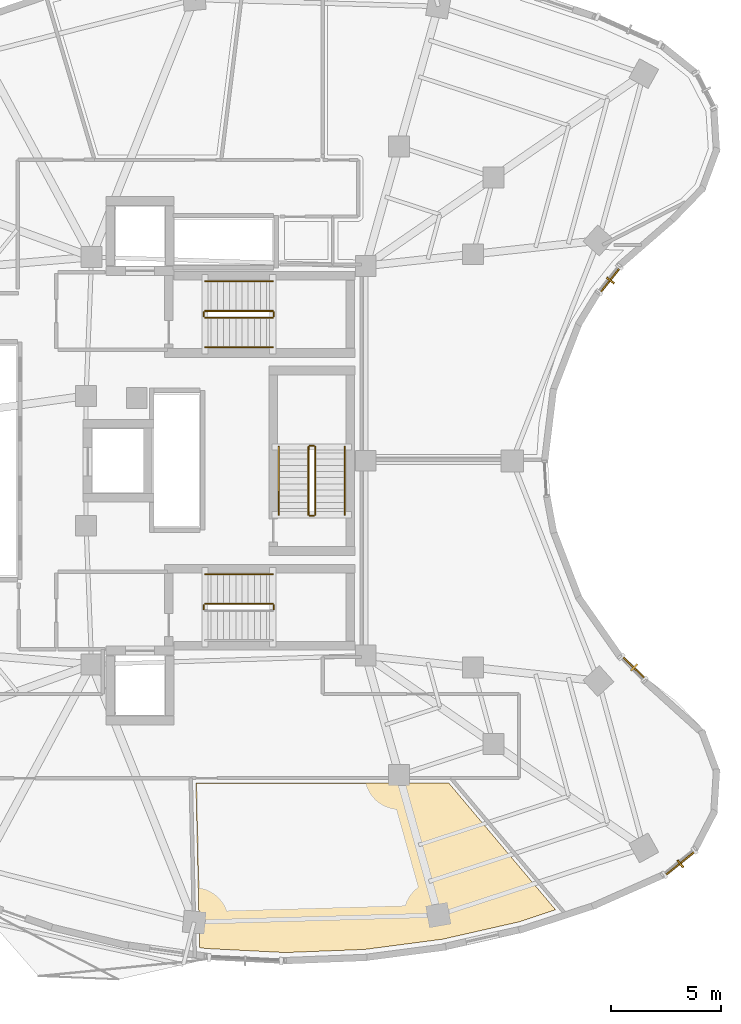
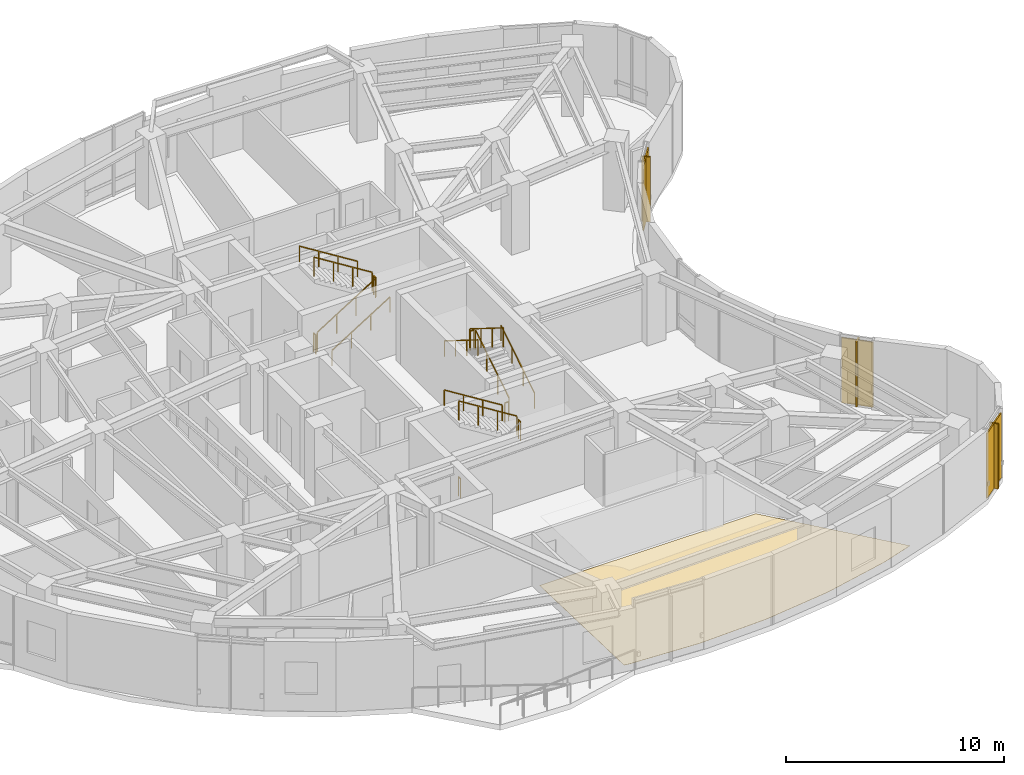
# One storey, part 14 of 15: 16 railings, 6 shading devices, 1 covering.
"""IFC4 building model written with IfcOpenShell, lengths in metres."""

import ifcopenshell
import ifcopenshell.guid

model = None  # the IFC model being written
_history = None  # IfcOwnerHistory: only IFC2X3 demands one
_inside = {}  # id of a spatial element -> (the spatial element, [elements in it])
_under = {}  # id of a project, library or spatial element -> (it, [spatial elements below it])
_declared = {}  # id of a project -> (the project, [libraries it declares])
_typed = {}  # id of a type object -> (the type object, [elements of that type])
_made_of = {}  # id of a material, layer set ... -> (it, [elements and type objects made of it])


def new_model(schema):
    """Start an empty IFC model of exactly this schema.

    Asked for "IFC4X3", IfcOpenShell would pick the latest addendum, in which some entities
    have other attributes; the version numbers below select the first issue.
    IFC2X3 requires an IfcOwnerHistory on every rooted entity: one is made here for all.
    """
    global model, _history
    if schema == "IFC4X3":
        model = ifcopenshell.file(schema_version=(4, 3, 0, 0))
    else:
        model = ifcopenshell.file(schema=schema)
    _inside.clear()
    _under.clear()
    _declared.clear()
    _typed.clear()
    _made_of.clear()
    _history = None
    if model.schema == "IFC2X3":
        org = make("IfcOrganization", Name="unknown")
        user = make(
            "IfcPersonAndOrganization",
            ThePerson=make("IfcPerson", FamilyName="unknown"),
            TheOrganization=org,
        )
        app = make(
            "IfcApplication",
            ApplicationDeveloper=org,
            Version="unknown",
            ApplicationFullName="unknown",
            ApplicationIdentifier="unknown",
        )
        _history = make(
            "IfcOwnerHistory",
            OwningUser=user,
            OwningApplication=app,
            ChangeAction="ADDED",
            CreationDate=0,
        )
    return model


def make(cls, **values):
    """One entity of the class cls with the attributes given. An attribute that is None is left unset."""
    return model.create_entity(
        cls, **{name: value for name, value in values.items() if value is not None}
    )


def rooted(cls, **values):
    """An entity with a GlobalId (a new one), such as an element, a storey or a relation."""
    return make(cls, GlobalId=ifcopenshell.guid.new(), OwnerHistory=_history, **values)


def si_unit(unit_type, name, prefix=None):
    """IfcSIUnit, for example si_unit("LENGTHUNIT", "METRE", prefix="MILLI")."""
    return make("IfcSIUnit", UnitType=unit_type, Prefix=prefix, Name=name)


def assignment(units):
    """IfcUnitAssignment: the units of a project."""
    return None if units is None else make("IfcUnitAssignment", Units=units)


def point(xyz):
    """IfcCartesianPoint."""
    return None if xyz is None else make("IfcCartesianPoint", Coordinates=xyz)


def direction(xyz):
    """IfcDirection."""
    return None if xyz is None else make("IfcDirection", DirectionRatios=xyz)


def frame(location, z_axis=None, x_axis=None):
    """IfcAxis2Placement3D, a coordinate frame: its origin and axes. An axis left out is left unset."""
    return make(
        "IfcAxis2Placement3D",
        Location=point(location),
        Axis=direction(z_axis),
        RefDirection=direction(x_axis),
    )


def frame_2d(location, x_axis=None):
    """IfcAxis2Placement2D, a coordinate frame in the plane: its origin and x axis."""
    return make(
        "IfcAxis2Placement2D", Location=point(location), RefDirection=direction(x_axis)
    )


def origin():
    """The frame at (0, 0, 0) with its axes left unset."""
    return frame((0.0, 0.0, 0.0))


def origin_2d():
    """The frame at (0, 0) in the plane with its x axis left unset."""
    return frame_2d((0.0, 0.0))


def place(relative_to, where):
    """IfcLocalPlacement: puts the frame where relative to a parent placement (None: the world)."""
    return make(
        "IfcLocalPlacement", PlacementRelTo=relative_to, RelativePlacement=where
    )


def context(
    kind, dimensions, precision=None, world=None, true_north=None, identifier=None
):
    """IfcGeometricRepresentationContext, for example the 3D "Model" context."""
    return make(
        "IfcGeometricRepresentationContext",
        ContextIdentifier=identifier,
        ContextType=kind,
        CoordinateSpaceDimension=dimensions,
        Precision=precision,
        WorldCoordinateSystem=world,
        TrueNorth=true_north,
    )


def subcontext(parent, identifier, kind, view, scale=None):
    """IfcGeometricRepresentationSubContext, for example "Body" below "Model"."""
    return make(
        "IfcGeometricRepresentationSubContext",
        ContextIdentifier=identifier,
        ContextType=kind,
        ParentContext=parent,
        TargetScale=scale,
        TargetView=view,
    )


def project(units=None, contexts=None):
    """IfcProject with its units and contexts."""
    return rooted(
        "IfcProject",
        Name="project",
        RepresentationContexts=contexts,
        UnitsInContext=assignment(units),
    )


def spatial(cls, under=None, at=None, **own):
    """A site, building, storey or space (cls), placed at a placement, below another one or the project."""
    s = rooted(cls, ObjectPlacement=at, **own)
    if under is not None:
        _under.setdefault(under.id(), (under, []))[1].append(s)
    return s


def polyline(points):
    """IfcPolyline through the points."""
    return make("IfcPolyline", Points=[point(p) for p in points])


def profile(cls, at=None, kind="AREA", **sizes):
    """A parametric profile (cls). Its sizes go by their IFC names, for example OverallWidth=200.0."""
    return make(cls, ProfileType=kind, Position=at, **sizes)


def rectangle(**sizes):
    """IfcRectangleProfileDef."""
    return profile("IfcRectangleProfileDef", **sizes)


def outline(outer, holes=None, kind="AREA"):
    """IfcArbitraryClosedProfileDef: a profile drawn as a closed curve; with holes, ...WithVoids."""
    if holes is None:
        return make("IfcArbitraryClosedProfileDef", ProfileType=kind, OuterCurve=outer)
    return make(
        "IfcArbitraryProfileDefWithVoids",
        ProfileType=kind,
        OuterCurve=outer,
        InnerCurves=holes,
    )


def extrude(swept, where, along, depth):
    """IfcExtrudedAreaSolid: the profile swept, set in the frame where, extruded along a direction by depth."""
    return make(
        "IfcExtrudedAreaSolid",
        SweptArea=swept,
        Position=where,
        ExtrudedDirection=direction(along),
        Depth=depth,
    )


def shape(context_of_items, identifier, shape_type, items):
    """IfcShapeRepresentation: the items that make up one representation, for example the "Body"."""
    return make(
        "IfcShapeRepresentation",
        ContextOfItems=context_of_items,
        RepresentationIdentifier=identifier,
        RepresentationType=shape_type,
        Items=items,
    )


def material(Name=None, Category=None):
    """IfcMaterial."""
    return make("IfcMaterial", Name=Name, Category=Category)


def layer(
    of_material, thickness, ventilated=None, Name=None, Category=None, Priority=None
):
    """IfcMaterialLayer: one layer of a wall or slab, of a material (None: an air gap)."""
    return make(
        "IfcMaterialLayer",
        Material=of_material,
        LayerThickness=thickness,
        IsVentilated=ventilated,
        Name=Name,
        Category=Category,
        Priority=Priority,
    )


def layer_set(layers, Name=None):
    """IfcMaterialLayerSet."""
    return make("IfcMaterialLayerSet", MaterialLayers=layers, LayerSetName=Name)


def made_of(thing, what):
    """Note that an element or type object is made of a material, layer set ...; save() writes the relation."""
    if what is not None:
        _made_of.setdefault(what.id(), (what, []))[1].append(thing)
    return thing


def type_object(cls, material=None, **own):
    """A type object (cls), such as IfcWallType, which elements share."""
    return made_of(rooted(cls, **own), material)


def element(
    cls,
    number,
    at=None,
    inside=None,
    cuts=None,
    type_object=None,
    material=None,
    context=None,
    identifier="Body",
    shape_type=None,
    held_by="IfcProductDefinitionShape",
    body=None,
    shapes=None,
    **own,
):
    """One element of the class cls, such as IfcWall. Its Tag is "e" and its number.

    at: its placement. inside: the storey or other place that contains it. cuts: it is an
    opening in that element (IfcRelVoidsElement). A single representation is given by context,
    identifier, shape_type and body (its items); several are given by shapes. held_by: the class
    of the entity that holds the representations. save() writes the other relations.
    """
    e = rooted(cls, Tag="e%d" % number, ObjectPlacement=at, **own)
    if body is not None:
        shapes = [shape(context, identifier, shape_type, body)]
    if shapes is not None:
        e.Representation = make(held_by, Representations=shapes)
    if inside is not None:
        _inside.setdefault(inside.id(), (inside, []))[1].append(e)
    if cuts is not None:
        rooted(
            "IfcRelVoidsElement", RelatingBuildingElement=cuts, RelatedOpeningElement=e
        )
    if type_object is not None:
        _typed.setdefault(type_object.id(), (type_object, []))[1].append(e)
    return made_of(e, material)


def aggregate(whole, parts):
    """IfcRelAggregates: a whole, such as a stair, and the parts it consists of."""
    return rooted("IfcRelAggregates", RelatingObject=whole, RelatedObjects=parts)


def save(model, path):
    """Write the relations noted so far, then the file.

    IfcRelAggregates (storeys below a building ...), IfcRelContainedInSpatialStructure (elements
    in a storey), IfcRelDefinesByType, IfcRelAssociatesMaterial and IfcRelDeclares: one each for
    every whole, place, type object, material and project.
    """
    for whole, parts in _under.values():
        aggregate(whole, parts)
    for where, things in _inside.values():
        rooted(
            "IfcRelContainedInSpatialStructure",
            RelatedElements=things,
            RelatingStructure=where,
        )
    for kind, things in _typed.values():
        rooted("IfcRelDefinesByType", RelatedObjects=things, RelatingType=kind)
    for what, things in _made_of.values():
        rooted("IfcRelAssociatesMaterial", RelatedObjects=things, RelatingMaterial=what)
    for by, libraries in _declared.values():
        rooted("IfcRelDeclares", RelatingContext=by, RelatedDefinitions=libraries)
    model.write(path)


model = new_model("IFC4")

# Units and contexts
model_context = context("Model", 3, precision=1e-05, world=origin(), true_north=direction((0.0, 1.0)))
body_context = subcontext(model_context, "Body", "Model", "MODEL_VIEW")
ifc_project = project(units=[si_unit("LENGTHUNIT", "METRE"), si_unit("AREAUNIT", "SQUARE_METRE"), si_unit("VOLUMEUNIT", "CUBIC_METRE"), si_unit("PLANEANGLEUNIT", "RADIAN"), si_unit("MASSUNIT", "GRAM", prefix="KILO")], contexts=[model_context])

# Site, building, storey
site_placement = place(None, origin())
site = spatial("IfcSite", under=ifc_project, at=site_placement, CompositionType="ELEMENT")
building_placement = place(site_placement, origin())
building = spatial("IfcBuilding", under=site, at=building_placement, Name="Korentha Bioscience Tower", CompositionType="ELEMENT")
storey_placement = place(building_placement, frame((0.0, 0.0, 226.800048828125)))
storey = spatial("IfcBuildingStorey", under=building, at=storey_placement, Name="L52", CompositionType="ELEMENT", Elevation=226.800048828125)

# Railings
ifc_material_1 = material(Name="Stainless Steel 304", Category="steel")
railing_type_1 = type_object("IfcRailingType", Name="Brushed Stainless Stair Handrail 900", PredefinedType="HANDRAIL", material=ifc_material_1)
railing_1_placement = place(storey_placement, frame((30.25, 32.14990234375, 0.175048828125)))
element("IfcRailing", 1, at=railing_1_placement, inside=storey, type_object=railing_type_1, Name="L52 ST-1 stair handrail 1", PredefinedType="HANDRAIL", context=body_context, shape_type="SweptSolid", body=[
    extrude(rectangle(XDim=0.048095703125, YDim=0.048095703125, at=origin_2d()), frame((0.0, 0.0, 0.8759765625), z_axis=(0.848028513186, 0.0, 0.529950602248), x_axis=(0.0, 1.0, 0.0)), (0.0, 0.0, 1.0), 3.632080078125),
    extrude(rectangle(XDim=0.0419921875, YDim=0.0419921875, at=origin_2d()), origin(), (0.0, 0.0, 1.0), 0.851806640625),
    extrude(rectangle(XDim=0.0419921875, YDim=0.0419921875, at=origin_2d()), frame((1.026611328125, 0.0, 0.6416015625)), (0.0, 0.0, 1.0), 0.851806640625),
    extrude(rectangle(XDim=0.0419921875, YDim=0.0419921875, at=origin_2d()), frame((2.053466796875, 0.0, 1.283203125)), (0.0, 0.0, 1.0), 0.851806640625),
    extrude(rectangle(XDim=0.0419921875, YDim=0.0419921875, at=origin_2d()), frame((3.080078125, 0.0, 1.9248046875)), (0.0, 0.0, 1.0), 0.851806640625),
])
for number, where, name in (
    (2, (33.330078125, 35.14990234375, 2.27490234375), "L52 ST-1 stair handrail 2"),
    (3, (33.330078125, 21.85009765625, 2.27490234375), "L52 ST-2 stair handrail 2"),
):
    element("IfcRailing", number, at=place(storey_placement, frame(where)), inside=storey, type_object=railing_type_1, Name=name, PredefinedType="HANDRAIL", context=body_context, shape_type="SweptSolid", body=[
        extrude(rectangle(XDim=0.048095703125, YDim=0.048095703125, at=origin_2d()), frame((0.0, 0.0, 0.8759765625), z_axis=(-0.847998304005, 0.0, 0.529998940003), x_axis=(0.0, -1.0, 0.0)), (0.0, 0.0, 1.0), 3.632080078125),
        extrude(rectangle(XDim=0.0419921875, YDim=0.0419921875, at=origin_2d()), origin(), (0.0, 0.0, 1.0), 0.851806640625),
        extrude(rectangle(XDim=0.0419921875, YDim=0.0419921875, at=origin_2d()), frame((-1.026611328125, 0.0, 0.6416015625)), (0.0, 0.0, 1.0), 0.851806640625),
        extrude(rectangle(XDim=0.0419921875, YDim=0.0419921875, at=origin_2d()), frame((-2.053466796875, 0.0, 1.283447265625)), (0.0, 0.0, 1.0), 0.851806640625),
        extrude(rectangle(XDim=0.0419921875, YDim=0.0419921875, at=origin_2d()), frame((-3.080078125, 0.0, 1.925048828125)), (0.0, 0.0, 1.0), 0.851806640625),
    ])
railing_2_placement = place(storey_placement, frame((36.60009765625, 24.550048828125, 0.175048828125)))
element("IfcRailing", 4, at=railing_2_placement, inside=storey, type_object=railing_type_1, Name="L52 ST-3 stair handrail 1", PredefinedType="HANDRAIL", context=body_context, shape_type="SweptSolid", body=[
    extrude(rectangle(XDim=0.048095703125, YDim=0.048095703125, at=origin_2d()), frame((0.0, 0.0, 0.8759765625), z_axis=(0.0, 0.848009633417, 0.529980812513), x_axis=(-1.0, 0.0, 0.0)), (0.0, 0.0, 1.0), 3.6318359375),
    extrude(rectangle(XDim=0.0419921875, YDim=0.0419921875, at=origin_2d()), origin(), (0.0, 0.0, 1.0), 0.851806640625),
    extrude(rectangle(XDim=0.0419921875, YDim=0.0419921875, at=origin_2d()), frame((0.0, 1.026611328125, 0.6416015625)), (0.0, 0.0, 1.0), 0.851806640625),
    extrude(rectangle(XDim=0.0419921875, YDim=0.0419921875, at=origin_2d()), frame((0.0, 2.05322265625, 1.283203125)), (0.0, 0.0, 1.0), 0.851806640625),
    extrude(rectangle(XDim=0.0419921875, YDim=0.0419921875, at=origin_2d()), frame((0.0, 3.079833984375, 1.9248046875)), (0.0, 0.0, 1.0), 0.851806640625),
])
railing_3_placement = place(storey_placement, frame((33.60009765625, 27.6298828125, 2.27490234375)))
element("IfcRailing", 5, at=railing_3_placement, inside=storey, type_object=railing_type_1, Name="L52 ST-3 stair handrail 2", PredefinedType="HANDRAIL", context=body_context, shape_type="SweptSolid", body=[
    extrude(rectangle(XDim=0.048095703125, YDim=0.048095703125, at=origin_2d()), frame((0.0, 0.0, 0.8759765625), z_axis=(0.0, -0.847979421464, 0.530029150871), x_axis=(1.0, 0.0, 0.0)), (0.0, 0.0, 1.0), 3.632080078125),
    extrude(rectangle(XDim=0.0419921875, YDim=0.0419921875, at=origin_2d()), origin(), (0.0, 0.0, 1.0), 0.851806640625),
    extrude(rectangle(XDim=0.0419921875, YDim=0.0419921875, at=origin_2d()), frame((0.0, -1.026611328125, 0.6416015625)), (0.0, 0.0, 1.0), 0.851806640625),
    extrude(rectangle(XDim=0.0419921875, YDim=0.0419921875, at=origin_2d()), frame((0.0, -2.05322265625, 1.283447265625)), (0.0, 0.0, 1.0), 0.851806640625),
    extrude(rectangle(XDim=0.0419921875, YDim=0.0419921875, at=origin_2d()), frame((0.0, -3.079833984375, 1.925048828125)), (0.0, 0.0, 1.0), 0.851806640625),
])
ifc_material_2 = material(Name="Painted Steel S275", Category="steel")
railing_type_2 = type_object("IfcRailingType", Name="Painted Steel Stair Well Guardrail 1100", PredefinedType="GUARDRAIL", material=ifc_material_2)
railing_4_placement = place(storey_placement, frame((30.25, 33.5, 0.175048828125)))
element("IfcRailing", 6, at=railing_4_placement, inside=storey, type_object=railing_type_2, Name="L52 ST-1 stair guard 1", PredefinedType="GUARDRAIL", context=body_context, shape_type="SweptSolid", body=[
    extrude(rectangle(XDim=0.048095703125, YDim=0.048095703125, at=origin_2d()), frame((0.0, 0.0, 1.076171875), z_axis=(0.848028513186, 0.0, 0.529950602248), x_axis=(0.0, 1.0, 0.0)), (0.0, 0.0, 1.0), 3.632080078125),
    extrude(rectangle(XDim=0.0419921875, YDim=0.0419921875, at=origin_2d()), origin(), (0.0, 0.0, 1.0), 1.052001953125),
    extrude(rectangle(XDim=0.0419921875, YDim=0.0419921875, at=origin_2d()), frame((1.026611328125, 0.0, 0.6416015625)), (0.0, 0.0, 1.0), 1.052001953125),
    extrude(rectangle(XDim=0.0419921875, YDim=0.0419921875, at=origin_2d()), frame((2.053466796875, 0.0, 1.283203125)), (0.0, 0.0, 1.0), 1.052001953125),
    extrude(rectangle(XDim=0.0419921875, YDim=0.0419921875, at=origin_2d()), frame((3.080078125, 0.0, 1.9248046875)), (0.0, 0.0, 1.0), 1.052001953125),
])
railing_5_placement = place(storey_placement, frame((33.3798828125, 33.550048828125, 2.099853515625)))
element("IfcRailing", 7, at=railing_5_placement, inside=storey, type_object=railing_type_2, Name="L52 ST-1 stair guard 2", PredefinedType="GUARDRAIL", context=body_context, shape_type="SweptSolid", body=[
    extrude(rectangle(XDim=0.048095703125, YDim=0.048095703125, at=origin_2d()), frame((0.0, 0.0, 1.076171875), z_axis=(0.0, 1.0, 0.0), x_axis=(-1.0, 0.0, 0.0)), (0.0, 0.0, 1.0), 0.199951171875),
    extrude(rectangle(XDim=0.0419921875, YDim=0.0419921875, at=origin_2d()), origin(), (0.0, 0.0, 1.0), 1.052001953125),
    extrude(rectangle(XDim=0.0419921875, YDim=0.0419921875, at=origin_2d()), frame((0.0, 0.199951171875, 0.0)), (0.0, 0.0, 1.0), 1.052001953125),
])
railing_6_placement = place(storey_placement, frame((33.330078125, 33.800048828125, 2.27490234375)))
element("IfcRailing", 8, at=railing_6_placement, inside=storey, type_object=railing_type_2, Name="L52 ST-1 stair guard 3", PredefinedType="GUARDRAIL", context=body_context, shape_type="SweptSolid", body=[
    extrude(rectangle(XDim=0.048095703125, YDim=0.048095703125, at=origin_2d()), frame((0.0, 0.0, 1.076171875), z_axis=(-0.847998304005, 0.0, 0.529998940003), x_axis=(0.0, -1.0, 0.0)), (0.0, 0.0, 1.0), 3.632080078125),
    extrude(rectangle(XDim=0.0419921875, YDim=0.0419921875, at=origin_2d()), origin(), (0.0, 0.0, 1.0), 1.052001953125),
    extrude(rectangle(XDim=0.0419921875, YDim=0.0419921875, at=origin_2d()), frame((-1.026611328125, 0.0, 0.6416015625)), (0.0, 0.0, 1.0), 1.052001953125),
    extrude(rectangle(XDim=0.0419921875, YDim=0.0419921875, at=origin_2d()), frame((-2.053466796875, 0.0, 1.283447265625)), (0.0, 0.0, 1.0), 1.052001953125),
    extrude(rectangle(XDim=0.0419921875, YDim=0.0419921875, at=origin_2d()), frame((-3.080078125, 0.0, 1.925048828125)), (0.0, 0.0, 1.0), 1.052001953125),
])
for number, where, name in (
    (9, (30.199951171875, 33.550048828125, 0.0), "L52 ST-1 stair guard 4"),
    (10, (33.3798828125, 20.25, 2.099853515625), "L52 ST-2 stair guard 2"),
):
    element("IfcRailing", number, at=place(storey_placement, frame(where)), inside=storey, type_object=railing_type_2, Name=name, PredefinedType="GUARDRAIL", context=body_context, shape_type="SweptSolid", body=[
        extrude(rectangle(XDim=0.048095703125, YDim=0.048095703125, at=origin_2d()), frame((0.0, 0.0, 1.076171875), z_axis=(0.0, 1.0, 0.0), x_axis=(-1.0, 0.0, 0.0)), (0.0, 0.0, 1.0), 0.199951171875),
        extrude(rectangle(XDim=0.0419921875, YDim=0.0419921875, at=origin_2d()), origin(), (0.0, 0.0, 1.0), 1.052001953125),
        extrude(rectangle(XDim=0.0419921875, YDim=0.0419921875, at=origin_2d()), frame((0.0, 0.199951171875, 0.0)), (0.0, 0.0, 1.0), 1.052001953125),
    ])
railing_7_placement = place(storey_placement, frame((33.330078125, 20.5, 2.27490234375)))
element("IfcRailing", 11, at=railing_7_placement, inside=storey, type_object=railing_type_2, Name="L52 ST-2 stair guard 3", PredefinedType="GUARDRAIL", context=body_context, shape_type="SweptSolid", body=[
    extrude(rectangle(XDim=0.048095703125, YDim=0.048095703125, at=origin_2d()), frame((0.0, 0.0, 1.076171875), z_axis=(-0.847998304005, 0.0, 0.529998940003), x_axis=(0.0, -1.0, 0.0)), (0.0, 0.0, 1.0), 3.632080078125),
    extrude(rectangle(XDim=0.0419921875, YDim=0.0419921875, at=origin_2d()), origin(), (0.0, 0.0, 1.0), 1.052001953125),
    extrude(rectangle(XDim=0.0419921875, YDim=0.0419921875, at=origin_2d()), frame((-1.026611328125, 0.0, 0.6416015625)), (0.0, 0.0, 1.0), 1.052001953125),
    extrude(rectangle(XDim=0.0419921875, YDim=0.0419921875, at=origin_2d()), frame((-2.053466796875, 0.0, 1.283447265625)), (0.0, 0.0, 1.0), 1.052001953125),
    extrude(rectangle(XDim=0.0419921875, YDim=0.0419921875, at=origin_2d()), frame((-3.080078125, 0.0, 1.925048828125)), (0.0, 0.0, 1.0), 1.052001953125),
])
railing_8_placement = place(storey_placement, frame((30.199951171875, 20.25, 0.0)))
element("IfcRailing", 12, at=railing_8_placement, inside=storey, type_object=railing_type_2, Name="L52 ST-2 stair guard 4", PredefinedType="GUARDRAIL", context=body_context, shape_type="SweptSolid", body=[
    extrude(rectangle(XDim=0.048095703125, YDim=0.048095703125, at=origin_2d()), frame((0.0, 0.0, 1.076171875), z_axis=(0.0, 1.0, 0.0), x_axis=(-1.0, 0.0, 0.0)), (0.0, 0.0, 1.0), 0.199951171875),
    extrude(rectangle(XDim=0.0419921875, YDim=0.0419921875, at=origin_2d()), origin(), (0.0, 0.0, 1.0), 1.052001953125),
    extrude(rectangle(XDim=0.0419921875, YDim=0.0419921875, at=origin_2d()), frame((0.0, 0.199951171875, 0.0)), (0.0, 0.0, 1.0), 1.052001953125),
])
railing_9_placement = place(storey_placement, frame((35.25, 24.550048828125, 0.175048828125)))
element("IfcRailing", 13, at=railing_9_placement, inside=storey, type_object=railing_type_2, Name="L52 ST-3 stair guard 1", PredefinedType="GUARDRAIL", context=body_context, shape_type="SweptSolid", body=[
    extrude(rectangle(XDim=0.048095703125, YDim=0.048095703125, at=origin_2d()), frame((0.0, 0.0, 1.076171875), z_axis=(0.0, 0.848009633417, 0.529980812513), x_axis=(-1.0, 0.0, 0.0)), (0.0, 0.0, 1.0), 3.6318359375),
    extrude(rectangle(XDim=0.0419921875, YDim=0.0419921875, at=origin_2d()), origin(), (0.0, 0.0, 1.0), 1.052001953125),
    extrude(rectangle(XDim=0.0419921875, YDim=0.0419921875, at=origin_2d()), frame((0.0, 1.026611328125, 0.6416015625)), (0.0, 0.0, 1.0), 1.052001953125),
    extrude(rectangle(XDim=0.0419921875, YDim=0.0419921875, at=origin_2d()), frame((0.0, 2.05322265625, 1.283203125)), (0.0, 0.0, 1.0), 1.052001953125),
    extrude(rectangle(XDim=0.0419921875, YDim=0.0419921875, at=origin_2d()), frame((0.0, 3.079833984375, 1.9248046875)), (0.0, 0.0, 1.0), 1.052001953125),
])
railing_10_placement = place(storey_placement, frame((35.199951171875, 27.679931640625, 2.099853515625)))
element("IfcRailing", 14, at=railing_10_placement, inside=storey, type_object=railing_type_2, Name="L52 ST-3 stair guard 2", PredefinedType="GUARDRAIL", context=body_context, shape_type="SweptSolid", body=[
    extrude(rectangle(XDim=0.048095703125, YDim=0.048095703125, at=origin_2d()), frame((0.0, 0.0, 1.076171875), z_axis=(-1.0, 0.0, 0.0), x_axis=(0.0, -1.0, 0.0)), (0.0, 0.0, 1.0), 0.199951171875),
    extrude(rectangle(XDim=0.0419921875, YDim=0.0419921875, at=origin_2d()), origin(), (0.0, 0.0, 1.0), 1.052001953125),
    extrude(rectangle(XDim=0.0419921875, YDim=0.0419921875, at=origin_2d()), frame((-0.199951171875, 0.0, 0.0)), (0.0, 0.0, 1.0), 1.052001953125),
])
railing_11_placement = place(storey_placement, frame((34.949951171875, 27.6298828125, 2.27490234375)))
element("IfcRailing", 15, at=railing_11_placement, inside=storey, type_object=railing_type_2, Name="L52 ST-3 stair guard 3", PredefinedType="GUARDRAIL", context=body_context, shape_type="SweptSolid", body=[
    extrude(rectangle(XDim=0.048095703125, YDim=0.048095703125, at=origin_2d()), frame((0.0, 0.0, 1.076171875), z_axis=(0.0, -0.847979421464, 0.530029150871), x_axis=(1.0, 0.0, 0.0)), (0.0, 0.0, 1.0), 3.632080078125),
    extrude(rectangle(XDim=0.0419921875, YDim=0.0419921875, at=origin_2d()), origin(), (0.0, 0.0, 1.0), 1.052001953125),
    extrude(rectangle(XDim=0.0419921875, YDim=0.0419921875, at=origin_2d()), frame((0.0, -1.026611328125, 0.6416015625)), (0.0, 0.0, 1.0), 1.052001953125),
    extrude(rectangle(XDim=0.0419921875, YDim=0.0419921875, at=origin_2d()), frame((0.0, -2.05322265625, 1.283447265625)), (0.0, 0.0, 1.0), 1.052001953125),
    extrude(rectangle(XDim=0.0419921875, YDim=0.0419921875, at=origin_2d()), frame((0.0, -3.079833984375, 1.925048828125)), (0.0, 0.0, 1.0), 1.052001953125),
])
railing_12_placement = place(storey_placement, frame((35.199951171875, 24.5, 0.0)))
element("IfcRailing", 16, at=railing_12_placement, inside=storey, type_object=railing_type_2, Name="L52 ST-3 stair guard 4", PredefinedType="GUARDRAIL", context=body_context, shape_type="SweptSolid", body=[
    extrude(rectangle(XDim=0.048095703125, YDim=0.048095703125, at=origin_2d()), frame((0.0, 0.0, 1.076171875), z_axis=(-1.0, 0.0, 0.0), x_axis=(0.0, -1.0, 0.0)), (0.0, 0.0, 1.0), 0.199951171875),
    extrude(rectangle(XDim=0.0419921875, YDim=0.0419921875, at=origin_2d()), origin(), (0.0, 0.0, 1.0), 1.052001953125),
    extrude(rectangle(XDim=0.0419921875, YDim=0.0419921875, at=origin_2d()), frame((-0.199951171875, 0.0, 0.0)), (0.0, 0.0, 1.0), 1.052001953125),
])

# Shading devices
ifc_material_3 = material(Name="Perforated Stone-Ceramic Composite", Category="masonry")
ifc_layer_1 = layer(ifc_material_3, 0.06494140625, Name="Perforated Stone-Ceramic Composite")
ifc_layer_set_1 = layer_set([ifc_layer_1], Name="Perforated Stone-Ceramic Composite (CS-01)")
shading_device_type_1 = type_object("IfcShadingDeviceType", Name="Perforated Stone-Ceramic Solar Screen Panel 65", PredefinedType="USERDEFINED", material=ifc_layer_set_1)
shading_device_placement = place(storey_placement, frame((51.822998046875, 8.712890625, 0.0), z_axis=(0.0, 0.0, 1.0), x_axis=(0.779197616162, 0.626778330008, 0.0)))
element("IfcShadingDevice", 17, at=shading_device_placement, inside=storey, type_object=shading_device_type_1, Name="CW-L52-37 Perforated Stone-Ceramic Solar Screen", ObjectType="SCREEN", PredefinedType="USERDEFINED", context=body_context, shape_type="SweptSolid", body=[
    extrude(rectangle(XDim=1.83154296875, YDim=0.06494140625, at=origin_2d()), origin(), (0.0, 0.0, 1.0), 3.64990234375),
])
for number, where, z_axis, x_axis, name in (
    (18, (49.7216796875, 17.6083984375, 0.0), (0.0, 0.0, 1.0), (-0.713258270268, 0.700901305388, 0.0), "CW-L52-43 Perforated Stone-Ceramic Solar Screen"),
    (19, (48.64599609375, 35.19677734375, 0.0), (0.0, 0.0, 1.0), (0.622511989066, 0.782610262819, 0.0), "CW-L52-55 Perforated Stone-Ceramic Solar Screen"),
):
    element("IfcShadingDevice", number, at=place(storey_placement, frame(where, z_axis=z_axis, x_axis=x_axis)), inside=storey, type_object=shading_device_type_1, Name=name, ObjectType="SCREEN", PredefinedType="USERDEFINED", context=body_context, shape_type="SweptSolid", body=[
        extrude(rectangle(XDim=1.50341796875, YDim=0.06494140625, at=origin_2d()), origin(), (0.0, 0.0, 1.0), 3.64990234375),
    ])

# Covering
ifc_material_4 = material(Name="Chemical-Resistant Epoxy Resin", Category="polymer")
ifc_layer_2 = layer(ifc_material_4, 0.011962890625, Name="Chemical-Resistant Epoxy Resin")
ifc_layer_set_2 = layer_set([ifc_layer_2], Name="Chemical-Resistant Epoxy Resin (FL-EPX)")
covering_type = type_object("IfcCoveringType", Name="Seamless Epoxy Laboratory Flooring 12", PredefinedType="FLOORING", material=ifc_layer_set_2)
covering_placement = place(storey_placement, origin())
element("IfcCovering", 20, at=covering_placement, inside=storey, type_object=covering_type, Name="L52 Sterile Media Preparation Kitchen 05 Floor Finish", PredefinedType="FLOORING", context=body_context, shape_type="SweptSolid", body=[
    extrude(outline(polyline([(29.83642578125, 12.3701171875), (41.315673828125, 12.3701171875), (46.168701171875, 6.60986328125), (44.487060546875, 6.055419921875), (41.0400390625, 5.273681640625), (37.491455078125, 4.808349609375), (33.893310546875, 4.66650390625), (30.299072265625, 4.85009765625), (30.00439453125, 4.892333984375), (29.83642578125, 12.3701171875)])), origin(), (0.0, 0.0, 1.0), 0.011962890625),
])

# Shading devices
ifc_material_5 = material(Name="Honed Travertine Limestone", Category="masonry")
ifc_layer_3 = layer(ifc_material_5, 0.080078125, Name="Honed Travertine Limestone")
ifc_layer_set_3 = layer_set([ifc_layer_3], Name="Honed Travertine Limestone (CS-02)")
shading_device_type_2 = type_object("IfcShadingDeviceType", Name="Vertical Honed Limestone Sunshade Fin 80x420", PredefinedType="USERDEFINED", material=ifc_layer_set_3)
for number, where, z_axis, x_axis, name in (
    (21, (51.83544921875, 8.697265625, 0.0), (0.0, 0.0, 1.0), (0.779197616162, 0.626778330008, 0.0), "CW-L52-37 Limestone Sunshade Fin"),
    (22, (49.735595703125, 17.622802734375, 0.0), (0.0, 0.0, 1.0), (-0.713258270268, 0.700901305388, 0.0), "CW-L52-43 Limestone Sunshade Fin"),
    (23, (48.66162109375, 35.184326171875, 0.0), (0.0, 0.0, 1.0), (0.622511989066, 0.782610262819, 0.0), "CW-L52-55 Limestone Sunshade Fin"),
):
    element("IfcShadingDevice", number, at=place(storey_placement, frame(where, z_axis=z_axis, x_axis=x_axis)), inside=storey, type_object=shading_device_type_2, Name=name, ObjectType="SCREEN", PredefinedType="USERDEFINED", context=body_context, shape_type="SweptSolid", body=[
        extrude(rectangle(XDim=0.080078125, YDim=0.419921875, at=origin_2d()), origin(), (0.0, 0.0, 1.0), 3.64990234375),
    ])

save(model, "model.ifc")
